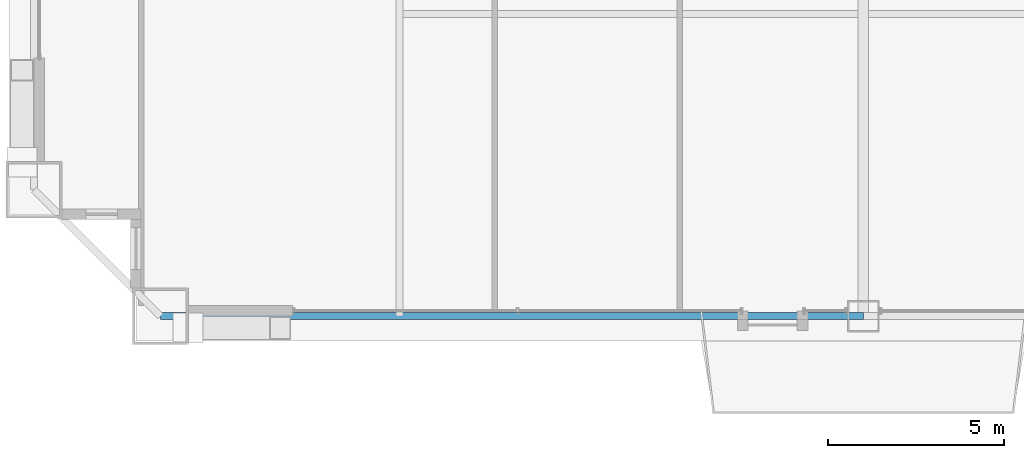
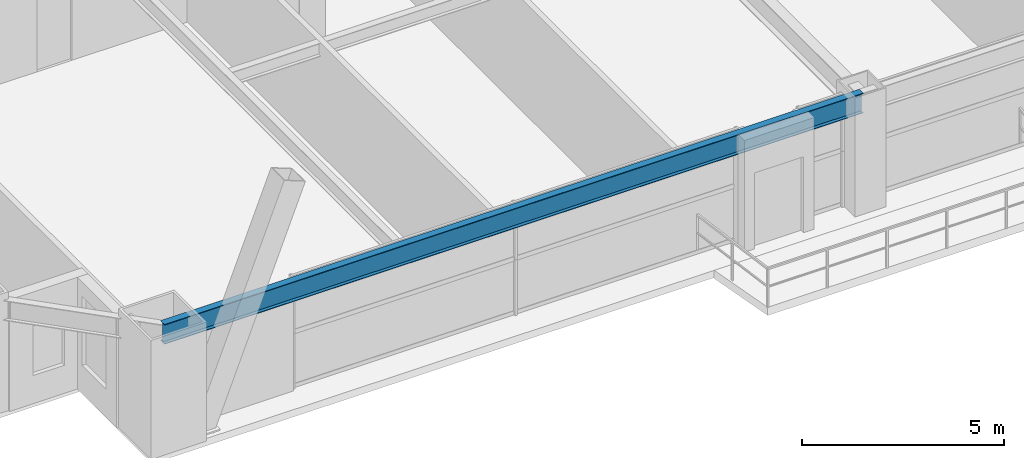
# One storey, part 5 of 43: 1 beam.
"""IFC4 building model written with IfcOpenShell, lengths in metres."""

from ifc_helpers import new_model, si_unit, direction, frame, origin, origin_2d, place, context, subcontext, project, spatial, i_section, extrude, source, transform, mapped, material, material_profile, profile_set, type_object, element, save


model = new_model("IFC4")

# Units and contexts
model_context = context("Model", 3, precision=1e-05, world=origin(), true_north=direction((0.0, 1.0)))
body_context = subcontext(model_context, "Body", "Model", "MODEL_VIEW")
ifc_project = project(units=[si_unit("LENGTHUNIT", "METRE"), si_unit("AREAUNIT", "SQUARE_METRE"), si_unit("VOLUMEUNIT", "CUBIC_METRE"), si_unit("PLANEANGLEUNIT", "RADIAN"), si_unit("MASSUNIT", "GRAM", prefix="KILO"), si_unit("THERMODYNAMICTEMPERATUREUNIT", "KELVIN"), si_unit("POWERUNIT", "WATT")], contexts=[model_context])

# Site, building, storey
site_placement = place(None, origin())
site = spatial("IfcSite", under=ifc_project, at=site_placement, CompositionType="ELEMENT")
building_placement = place(site_placement, origin())
building = spatial("IfcBuilding", under=site, at=building_placement, Name="Yuzanri Waterfront Tower", CompositionType="ELEMENT")
storey_placement = place(building_placement, frame((0.0, 0.0, 138.0)))
storey = spatial("IfcBuildingStorey", under=building, at=storey_placement, Name="L36", CompositionType="ELEMENT", Elevation=138.0)

# Beam
ifc_material = material(Name="Steel Q355B", Category="steel")
ifc_material_profile = material_profile(ifc_material, i_section(OverallWidth=0.199951171875, OverallDepth=0.60009765625, WebThickness=0.010986328125, FlangeThickness=0.01708984375, at=origin_2d()), Name="HN 600x200x11x17")
ifc_profile_set = profile_set([ifc_material_profile], Name="Steel Q355B")
beam_type = type_object("IfcBeamType", Name="Perimeter Spandrel Q355B HN 600x200", PredefinedType="SPANDREL", material=ifc_profile_set)
shared_shape = source(origin(), body_context, "Body", "SweptSolid", [
    extrude(i_section(OverallWidth=0.199951171875, OverallDepth=0.60009765625, WebThickness=0.010986328125, FlangeThickness=0.01708984375, at=origin_2d()), origin(), (0.0, 0.0, 1.0), 20.0),
])
beam_placement = place(storey_placement, frame((17.0, 2.199951171875, 3.080078125), z_axis=(1.0, 0.0, 0.0), x_axis=(0.0, 1.0, 0.0)))
element("IfcBeam", 1, at=beam_placement, inside=storey, type_object=beam_type, Name="L36 Perimeter Spandrel S1-S2", PredefinedType="SPANDREL", context=body_context, shape_type="MappedRepresentation", body=[
    mapped(shared_shape, transform((0.0, 0.0, 0.0), scale=1.0)),
])

save(model, "model.ifc")
